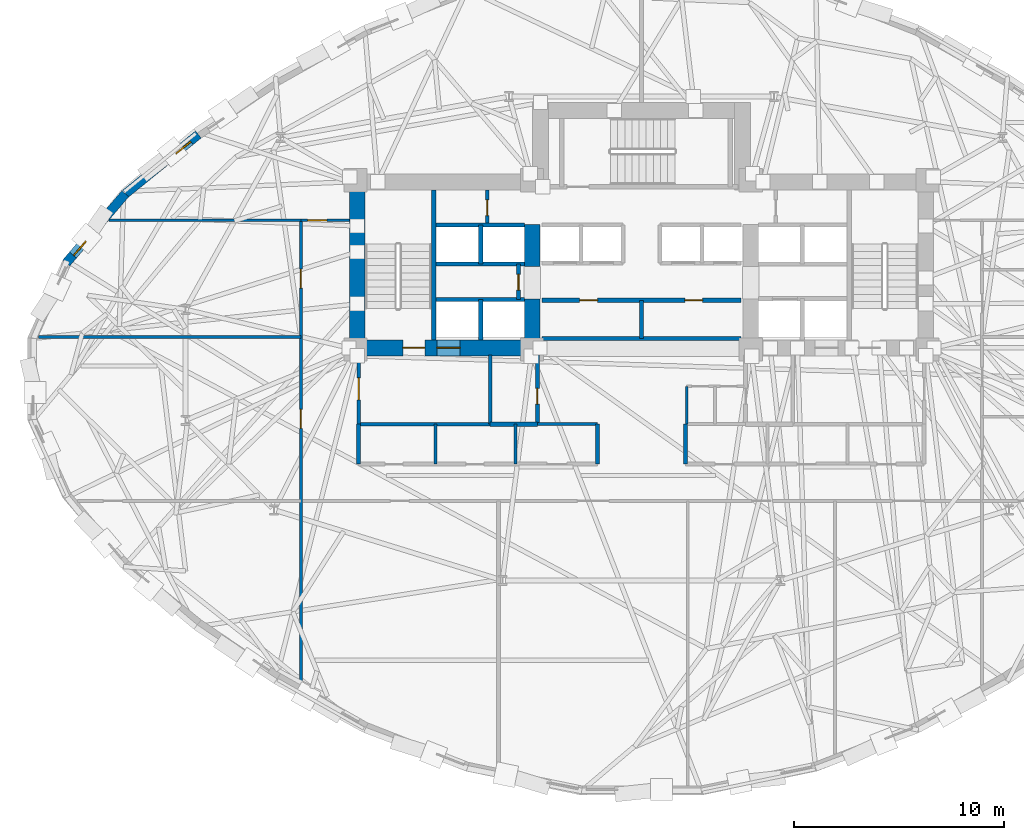
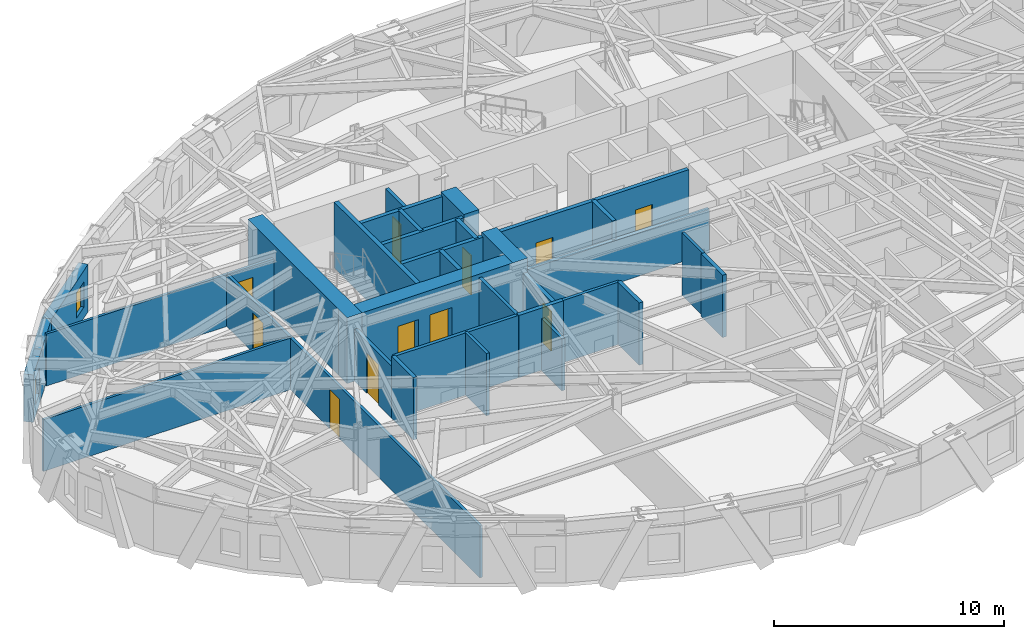
# One storey, part 7 of 14: 33 walls, 11 doors, 2 windows, 13 openings.
"""IFC4 building model written with IfcOpenShell, lengths in metres."""

from ifc_helpers import new_model, si_unit, direction, frame, frame_2d, origin, place, context, subcontext, project, spatial, rectangle, extrude, material, layer, layer_set, type_object, element, fill, save


model = new_model("IFC4")

# Units and contexts
model_context = context("Model", 3, precision=1e-05, world=origin(), true_north=direction((0.0, 1.0)))
body_context = subcontext(model_context, "Body", "Model", "MODEL_VIEW")
ifc_project = project(units=[si_unit("LENGTHUNIT", "METRE"), si_unit("AREAUNIT", "SQUARE_METRE"), si_unit("VOLUMEUNIT", "CUBIC_METRE"), si_unit("PLANEANGLEUNIT", "RADIAN"), si_unit("MASSUNIT", "GRAM", prefix="KILO")], contexts=[model_context])

# Site, building, storey
site_placement = place(None, origin())
site = spatial("IfcSite", under=ifc_project, at=site_placement, CompositionType="ELEMENT")
building_placement = place(site_placement, origin())
building = spatial("IfcBuilding", under=site, at=building_placement, Name="Keldmark Tower", CompositionType="ELEMENT")
storey_placement = place(building_placement, frame((0.0, 0.0, 86.10009765625)))
storey = spatial("IfcBuildingStorey", under=building, at=storey_placement, Name="L22", CompositionType="ELEMENT", Elevation=86.10009765625)

# Wall, openings, doors
ifc_material_1 = material(Name="Acoustic Double-Layer Gypsum Corridor Partition", Category="gypsum")
ifc_layer_1 = layer(ifc_material_1, 0.139892578125)
ifc_layer_set_1 = layer_set([ifc_layer_1], Name="Acoustic Double-Layer Gypsum Corridor Partition")
wall_type_1 = type_object("IfcWallType", Name="Acoustic Corridor Partition 140 mm", PredefinedType="PARTITIONING", material=ifc_layer_set_1)
wall_1_placement = place(storey_placement, frame((-16.199951171875, -14.554443359375, 0.0), z_axis=(0.0, 0.0, 1.0), x_axis=(0.0, 1.0, 0.0)))
wall_1 = element("IfcWall", 1, at=wall_1_placement, inside=storey, type_object=wall_type_1, Name="L22 Acoustic Corridor Partition 140 mm COR-W", PredefinedType="PARTITIONING", context=body_context, shape_type="SweptSolid", body=[
    extrude(rectangle(XDim=22.1044921875, YDim=0.139892578125, at=frame_2d((11.05224609375, 0.0))), origin(), (0.0, 0.0, 1.0), 2.7509765625),
])
opening_1_placement = place(wall_1_placement, frame((12.204345703125, 0.0, 0.0)))
opening_1 = element("IfcOpeningElement", 2, at=opening_1_placement, cuts=wall_1, Name="Opening D-IN090", PredefinedType="OPENING", context=body_context, shape_type="SweptSolid", body=[
    extrude(rectangle(XDim=0.89990234375, YDim=2.10009765625, at=frame_2d((0.449951171875, 1.050048828125))), frame((0.0, 0.079833984375, 0.0), z_axis=(0.0, -1.0, 0.0), x_axis=(1.0, 0.0, 0.0)), (0.0, 0.0, 1.0), 0.159912109375),
])
opening_2_placement = place(wall_1_placement, frame((18.87939453125, 0.0, 0.0)))
opening_2 = element("IfcOpeningElement", 3, at=opening_2_placement, cuts=wall_1, Name="Opening D-IN090", PredefinedType="OPENING", context=body_context, shape_type="SweptSolid", body=[
    extrude(rectangle(XDim=0.89990234375, YDim=2.10009765625, at=frame_2d((0.449951171875, 1.050048828125))), frame((0.0, 0.079833984375, 0.0), z_axis=(0.0, -1.0, 0.0), x_axis=(1.0, 0.0, 0.0)), (0.0, 0.0, 1.0), 0.159912109375),
])
ifc_material_2 = material(Name="Stained American White Oak Veneer", Category="wood")
door_type_1 = type_object("IfcDoorType", Name="Interior Door 900x2100", OperationType="NOTDEFINED", PredefinedType="DOOR", material=ifc_material_2)
door_1_placement = place(opening_1_placement, origin())
door_1 = element("IfcDoor", 4, at=door_1_placement, inside=storey, type_object=door_type_1, Name="L22 Interior Door 900x2100 D-WR-1-L22", OperationType="SINGLE_SWING_LEFT", OverallHeight=2.10009765625, OverallWidth=0.89990234375, PredefinedType="DOOR", context=body_context, shape_type="SweptSolid", body=[
    extrude(rectangle(XDim=0.89990234375, YDim=2.10009765625, at=frame_2d((0.449951171875, 1.050048828125))), frame((0.0, 0.02490234375, 0.0), z_axis=(0.0, -1.0, 0.0), x_axis=(1.0, 0.0, 0.0)), (0.0, 0.0, 1.0), 0.050048828125),
])
fill(opening_1, door_1)
door_2_placement = place(opening_2_placement, origin())
door_2 = element("IfcDoor", 5, at=door_2_placement, inside=storey, type_object=door_type_1, Name="L22 Interior Door 900x2100 D-WR-2-L22", OperationType="SINGLE_SWING_RIGHT", OverallHeight=2.10009765625, OverallWidth=0.89990234375, PredefinedType="DOOR", context=body_context, shape_type="SweptSolid", body=[
    extrude(rectangle(XDim=0.89990234375, YDim=2.10009765625, at=frame_2d((0.449951171875, 1.050048828125))), frame((0.0, 0.02490234375, 0.0), z_axis=(0.0, -1.0, 0.0), x_axis=(1.0, 0.0, 0.0)), (0.0, 0.0, 1.0), 0.050048828125),
])
fill(opening_2, door_2)

# Wall, opening, door
wall_2_placement = place(storey_placement, frame((-16.199951171875, 7.550048828125, 0.0), z_axis=(0.0, 0.0, 1.0), x_axis=(1.0, 0.0, 0.0)))
wall_2 = element("IfcWall", 6, at=wall_2_placement, inside=storey, type_object=wall_type_1, Name="L22 Acoustic Corridor Partition 140 mm COR-WN-CAP", PredefinedType="PARTITIONING", context=body_context, shape_type="SweptSolid", body=[
    extrude(rectangle(XDim=2.300048828125, YDim=0.139892578125, at=frame_2d((1.14990234375, 0.0))), origin(), (0.0, 0.0, 1.0), 2.762939453125),
])
opening_3_placement = place(wall_2_placement, frame((0.320068359375, 0.0, 0.0)))
opening_3 = element("IfcOpeningElement", 7, at=opening_3_placement, cuts=wall_2, Name="Opening D-EX092", PredefinedType="OPENING", context=body_context, shape_type="SweptSolid", body=[
    extrude(rectangle(XDim=0.919921875, YDim=2.14990234375, at=frame_2d((0.4599609375, 1.074951171875))), frame((0.0, 0.079833984375, 0.0), z_axis=(0.0, -1.0, 0.0), x_axis=(1.0, 0.0, 0.0)), (0.0, 0.0, 1.0), 0.159912109375),
])
ifc_material_3 = material(Name="Flush American Ash Executive Office Door", Category="wood")
door_type_2 = type_object("IfcDoorType", Name="Executive Office Door 920x2150", OperationType="NOTDEFINED", PredefinedType="DOOR", material=ifc_material_3)
door_3_placement = place(opening_3_placement, origin())
door_3 = element("IfcDoor", 8, at=door_3_placement, inside=storey, type_object=door_type_2, Name="L22 Executive Office Door 920x2150 D-NRNW-L22", OperationType="SINGLE_SWING_RIGHT", OverallHeight=2.14990234375, OverallWidth=0.919921875, PredefinedType="DOOR", context=body_context, shape_type="SweptSolid", body=[
    extrude(rectangle(XDim=0.919921875, YDim=2.14990234375, at=frame_2d((0.4599609375, 1.074951171875))), frame((0.0, 0.02490234375, 0.0), z_axis=(0.0, -1.0, 0.0), x_axis=(1.0, 0.0, 0.0)), (0.0, 0.0, 1.0), 0.050048828125),
])
fill(opening_3, door_3)

# Walls
ifc_material_4 = material(Name="Heavy Acoustic Plumbing Chase Gypsum Assembly", Category="gypsum")
ifc_layer_2 = layer(ifc_material_4, 0.18994140625)
ifc_layer_set_2 = layer_set([ifc_layer_2], Name="Heavy Acoustic Plumbing Chase Gypsum Assembly")
wall_type_2 = type_object("IfcWallType", Name="Heavy Wet Wall 190 mm", PredefinedType="PLUMBINGWALL", material=ifc_layer_set_2)
for number, where, z_axis, x_axis, name in (
    (9, (-13.449951171875, -4.050048828125, 0.0), (0.0, 0.0, 1.0), (0.0, 1.0, 0.0), "L22 Heavy Wet Wall 190 mm SPK-W-W"),
    (10, (-2.10009765625, -4.050048828125, 0.0), (0.0, 0.0, 1.0), (0.0, 1.0, 0.0), "L22 Heavy Wet Wall 190 mm SPK-W-E"),
    (11, (2.10009765625, -4.050048828125, 0.0), (0.0, 0.0, 1.0), (0.0, 1.0, 0.0), "L22 Heavy Wet Wall 190 mm SPK-E-W"),
):
    element("IfcWall", number, at=place(storey_placement, frame(where, z_axis=z_axis, x_axis=x_axis)), inside=storey, type_object=wall_type_2, Name=name, PredefinedType="PLUMBINGWALL", context=body_context, shape_type="SweptSolid", body=[
        extrude(rectangle(XDim=1.900146484375, YDim=0.18994140625, at=frame_2d((0.9501953125, 0.0))), origin(), (0.0, 0.0, 1.0), 3.309814453125),
    ])
ifc_material_5 = material(Name="Acoustic Gypsum Board Interior Partition", Category="gypsum")
ifc_layer_3 = layer(ifc_material_5, 0.1298828125)
ifc_layer_set_3 = layer_set([ifc_layer_3], Name="Acoustic Gypsum Board Interior Partition")
wall_type_3 = type_object("IfcWallType", Name="Interior Partition 130 mm", PredefinedType="PARTITIONING", material=ifc_layer_set_3)
wall_3_placement = place(storey_placement, frame((2.14990234375, -2.14990234375, 0.0), z_axis=(0.0, 0.0, 1.0), x_axis=(0.0, 1.0, 0.0)))
element("IfcWall", 12, at=wall_3_placement, inside=storey, type_object=wall_type_3, Name="L22 Interior Partition 130 mm CSC-E-W", PredefinedType="PARTITIONING", context=body_context, shape_type="SweptSolid", body=[
    extrude(rectangle(XDim=1.7998046875, YDim=0.1298828125, at=frame_2d((0.89990234375, 0.0))), origin(), (0.0, 0.0, 1.0), 3.309814453125),
])
wall_4_placement = place(storey_placement, frame((-25.330810546875, 7.550048828125, 0.0), z_axis=(0.0, 0.0, 1.0), x_axis=(1.0, 0.0, 0.0)))
element("IfcWall", 13, at=wall_4_placement, inside=storey, type_object=wall_type_3, Name="L22 Interior Partition 130 mm W-CAP-N", PredefinedType="PARTITIONING", context=body_context, shape_type="SweptSolid", body=[
    extrude(rectangle(XDim=9.130859375, YDim=0.1298828125, at=frame_2d((4.5654296875, 0.0))), origin(), (0.0, 0.0, 1.0), 2.762939453125),
])
wall_5_placement = place(storey_placement, frame((-28.693603515625, 2.0, 0.0), z_axis=(0.0, 0.0, 1.0), x_axis=(1.0, 0.0, 0.0)))
element("IfcWall", 14, at=wall_5_placement, inside=storey, type_object=wall_type_3, Name="L22 Interior Partition 130 mm W-DIV-1", PredefinedType="PARTITIONING", context=body_context, shape_type="SweptSolid", body=[
    extrude(rectangle(XDim=12.49365234375, YDim=0.1298828125, at=frame_2d((6.246826171875, 0.0))), origin(), (0.0, 0.0, 1.0), 2.7509765625),
])
ifc_material_6 = material(Name="Concrete C70/85", Category="concrete")
ifc_layer_4 = layer(ifc_material_6, 0.75)
ifc_layer_set_4 = layer_set([ifc_layer_4], Name="Concrete C70/85")
wall_type_4 = type_object("IfcWallType", Name="Low-Mid Core Shear Wall 750 mm", PredefinedType="SHEAR", material=ifc_layer_set_4)
wall_6_placement = place(storey_placement, frame((-13.52490234375, 1.10009765625, 0.0), z_axis=(0.0, 0.0, 1.0), x_axis=(0.0, 1.0, 0.0)))
element("IfcWall", 15, at=wall_6_placement, inside=storey, type_object=wall_type_4, Name="L22 West Core Outer Shear Wall", PredefinedType="SHEAR", context=body_context, shape_type="SweptSolid", body=[
    extrude(rectangle(XDim=8.64990234375, YDim=0.75, at=frame_2d((4.324951171875, 0.0))), origin(), (0.0, 0.0, 1.0), 3.5),
])

# Wall, openings, doors
wall_7_placement = place(storey_placement, frame((-4.824951171875, 1.47509765625, 0.0), z_axis=(0.0, 0.0, 1.0), x_axis=(-1.0, 0.0, 0.0)))
wall_7 = element("IfcWall", 16, at=wall_7_placement, inside=storey, type_object=wall_type_4, Name="L22 West Core South Shear Wall", PredefinedType="SHEAR", context=body_context, shape_type="SweptSolid", body=[
    extrude(rectangle(XDim=9.074951171875, YDim=0.75, at=frame_2d((4.53759765625, 0.0))), origin(), (0.0, 0.0, 1.0), 3.5),
])
opening_4_placement = place(wall_7_placement, frame((5.47509765625, 0.0, 0.0)))
opening_4 = element("IfcOpeningElement", 17, at=opening_4_placement, cuts=wall_7, Name="Opening D-ST105", PredefinedType="OPENING", context=body_context, shape_type="SweptSolid", body=[
    extrude(rectangle(XDim=1.050048828125, YDim=2.14990234375, at=frame_2d((0.52490234375, 1.074951171875))), frame((0.0, 0.385009765625, 0.0), z_axis=(0.0, -1.0, 0.0), x_axis=(1.0, 0.0, 0.0)), (0.0, 0.0, 1.0), 0.77001953125),
])
opening_5_placement = place(wall_7_placement, frame((3.804931640625, 0.0, 0.0)))
opening_5 = element("IfcOpeningElement", 18, at=opening_5_placement, cuts=wall_7, Name="Opening LD-110", PredefinedType="OPENING", context=body_context, shape_type="SweptSolid", body=[
    extrude(rectangle(XDim=1.10009765625, YDim=2.199951171875, at=frame_2d((0.550048828125, 1.10009765625))), frame((0.0, 0.385009765625, 0.0), z_axis=(0.0, -1.0, 0.0), x_axis=(1.0, 0.0, 0.0)), (0.0, 0.0, 1.0), 0.77001953125),
])
ifc_material_7 = material(Name="Brushed Bronze Hoistway Sliding Leaf", Category="metal")
door_type_3 = type_object("IfcDoorType", Name="Lift Landing Sliding Door 1100x2200", OperationType="SLIDING_TO_LEFT", PredefinedType="DOOR", material=ifc_material_7)
door_4_placement = place(opening_5_placement, origin())
door_4 = element("IfcDoor", 19, at=door_4_placement, inside=storey, type_object=door_type_3, Name="L22 Lift Landing Sliding Door 1100x2200 LD-EL-FS1-L22", OperationType="SLIDING_TO_LEFT", OverallHeight=2.199951171875, OverallWidth=1.10009765625, PredefinedType="DOOR", context=body_context, shape_type="SweptSolid", body=[
    extrude(rectangle(XDim=1.10009765625, YDim=2.199951171875, at=frame_2d((0.550048828125, 1.10009765625))), frame((0.0, 0.02490234375, 0.0), z_axis=(0.0, -1.0, 0.0), x_axis=(1.0, 0.0, 0.0)), (0.0, 0.0, 1.0), 0.050048828125),
])
fill(opening_5, door_4)
ifc_material_8 = material(Name="Hollow Metal Fire-Rated Door Assembly", Category="metal")
door_type_4 = type_object("IfcDoorType", Name="Stair Fire Door 1050x2150", OperationType="NOTDEFINED", PredefinedType="DOOR", material=ifc_material_8)
door_5_placement = place(opening_4_placement, origin())
door_5 = element("IfcDoor", 20, at=door_5_placement, inside=storey, type_object=door_type_4, Name="L22 Stair Fire Door 1050x2150 D-ST1-L22", OperationType="SINGLE_SWING_RIGHT", OverallHeight=2.14990234375, OverallWidth=1.050048828125, PredefinedType="DOOR", context=body_context, shape_type="SweptSolid", body=[
    extrude(rectangle(XDim=1.050048828125, YDim=2.14990234375, at=frame_2d((0.52490234375, 1.074951171875))), frame((0.0, 0.02490234375, 0.0), z_axis=(0.0, -1.0, 0.0), x_axis=(1.0, 0.0, 0.0)), (0.0, 0.0, 1.0), 0.050048828125),
])
fill(opening_4, door_5)

# Walls
wall_8_placement = place(storey_placement, frame((-5.199951171875, 1.10009765625, 0.0), z_axis=(0.0, 0.0, 1.0), x_axis=(0.0, 1.0, 0.0)))
element("IfcWall", 21, at=wall_8_placement, inside=storey, type_object=wall_type_4, Name="L22 West Core Inner Shear Pier South", PredefinedType="SHEAR", context=body_context, shape_type="SweptSolid", body=[
    extrude(rectangle(XDim=2.699951171875, YDim=0.75, at=frame_2d((1.35009765625, 0.0))), origin(), (0.0, 0.0, 1.0), 3.5),
])
wall_9_placement = place(storey_placement, frame((-5.199951171875, 5.35009765625, 0.0), z_axis=(0.0, 0.0, 1.0), x_axis=(0.0, 1.0, 0.0)))
element("IfcWall", 22, at=wall_9_placement, inside=storey, type_object=wall_type_4, Name="L22 West Core Inner Shear Pier North", PredefinedType="SHEAR", context=body_context, shape_type="SweptSolid", body=[
    extrude(rectangle(XDim=2.0, YDim=0.75, at=frame_2d((1.0, 0.0))), origin(), (0.0, 0.0, 1.0), 3.5),
])
ifc_material_9 = material(Name="Type X Fire-Rated Gypsum Partition Assembly", Category="gypsum")
ifc_layer_5 = layer(ifc_material_9, 0.1650390625)
ifc_layer_set_5 = layer_set([ifc_layer_5], Name="Type X Fire-Rated Gypsum Partition Assembly")
wall_type_5 = type_object("IfcWallType", Name="Rated Partition 165 mm", PredefinedType="PARTITIONING", material=ifc_layer_set_5)
wall_10_placement = place(storey_placement, frame((-13.449951171875, -2.14990234375, 0.0), z_axis=(0.0, 0.0, 1.0), x_axis=(1.0, 0.0, 0.0)))
element("IfcWall", 23, at=wall_10_placement, inside=storey, type_object=wall_type_5, Name="L22 Rated Partition 165 mm FSAE-W-S", PredefinedType="PARTITIONING", context=body_context, shape_type="SweptSolid", body=[
    extrude(rectangle(XDim=6.25, YDim=0.1650390625, at=frame_2d((3.125, 0.0))), origin(), (0.0, 0.0, 1.0), 3.309814453125),
])

# Wall, opening, door
wall_11_placement = place(storey_placement, frame((-13.449951171875, -2.14990234375, 0.0), z_axis=(0.0, 0.0, 1.0), x_axis=(0.0, 1.0, 0.0)))
wall_11 = element("IfcWall", 24, at=wall_11_placement, inside=storey, type_object=wall_type_5, Name="L22 Rated Partition 165 mm FSAE-W-W", PredefinedType="PARTITIONING", context=body_context, shape_type="SweptSolid", body=[
    extrude(rectangle(XDim=3.2998046875, YDim=0.1650390625, at=frame_2d((1.64990234375, 0.0))), origin(), (0.0, 0.0, 1.0), 2.762939453125),
])
opening_6_placement = place(wall_11_placement, frame((1.14990234375, 0.0, 0.0)))
opening_6 = element("IfcOpeningElement", 25, at=opening_6_placement, cuts=wall_11, Name="Opening D-FL105", PredefinedType="OPENING", context=body_context, shape_type="SweptSolid", body=[
    extrude(rectangle(XDim=1.050048828125, YDim=2.14990234375, at=frame_2d((0.52490234375, 1.074951171875))), frame((0.0, 0.092529296875, 0.0), z_axis=(0.0, -1.0, 0.0), x_axis=(1.0, 0.0, 0.0)), (0.0, 0.0, 1.0), 0.18505859375),
])
ifc_material_10 = material(Name="Fire-Rated Mineral-Core Door and Vision Lite", Category="metal")
door_type_5 = type_object("IfcDoorType", Name="Fire Lobby Door 1050x2150", OperationType="NOTDEFINED", PredefinedType="DOOR", material=ifc_material_10)
door_6_placement = place(opening_6_placement, origin())
door_6 = element("IfcDoor", 26, at=door_6_placement, inside=storey, type_object=door_type_5, Name="L22 Fire Lobby Door 1050x2150 D-FSAEW-OUT-L22", OperationType="SINGLE_SWING_LEFT", OverallHeight=2.14990234375, OverallWidth=1.050048828125, PredefinedType="DOOR", context=body_context, shape_type="SweptSolid", body=[
    extrude(rectangle(XDim=1.050048828125, YDim=2.14990234375, at=frame_2d((0.52490234375, 1.074951171875))), frame((0.0, 0.02490234375, 0.0), z_axis=(0.0, -1.0, 0.0), x_axis=(1.0, 0.0, 0.0)), (0.0, 0.0, 1.0), 0.050048828125),
])
fill(opening_6, door_6)

# Wall
wall_12_placement = place(storey_placement, frame((-7.199951171875, -2.14990234375, 0.0), z_axis=(0.0, 0.0, 1.0), x_axis=(0.0, 1.0, 0.0)))
element("IfcWall", 27, at=wall_12_placement, inside=storey, type_object=wall_type_5, Name="L22 Rated Partition 165 mm FSAE-W-E", PredefinedType="PARTITIONING", context=body_context, shape_type="SweptSolid", body=[
    extrude(rectangle(XDim=3.2998046875, YDim=0.1650390625, at=frame_2d((1.64990234375, 0.0))), origin(), (0.0, 0.0, 1.0), 3.309814453125),
])

# Wall, opening, door
wall_13_placement = place(storey_placement, frame((-7.330078125, 7.419921875, 0.0), z_axis=(0.0, 0.0, 1.0), x_axis=(0.0, 1.0, 0.0)))
wall_13 = element("IfcWall", 28, at=wall_13_placement, inside=storey, type_object=wall_type_5, Name="L22 Rated Partition 165 mm CS-NW-E", PredefinedType="PARTITIONING", context=body_context, shape_type="SweptSolid", body=[
    extrude(rectangle(XDim=1.580078125, YDim=0.1650390625, at=frame_2d((0.7900390625, 0.0))), origin(), (0.0, 0.0, 1.0), 3.309814453125),
])
opening_7_placement = place(wall_13_placement, frame((0.35009765625, 0.0, 0.0)))
opening_7 = element("IfcOpeningElement", 29, at=opening_7_placement, cuts=wall_13, Name="Opening D-RS075", PredefinedType="OPENING", context=body_context, shape_type="SweptSolid", body=[
    extrude(rectangle(XDim=0.75, YDim=2.10009765625, at=frame_2d((0.375, 1.050048828125))), frame((0.0, 0.092529296875, 0.0), z_axis=(0.0, -1.0, 0.0), x_axis=(1.0, 0.0, 0.0)), (0.0, 0.0, 1.0), 0.18505859375),
])
ifc_material_11 = material(Name="Galvanized Fire-Rated Access Leaf", Category="metal")
door_type_6 = type_object("IfcDoorType", Name="Riser Access Door 750x2100", OperationType="NOTDEFINED", PredefinedType="DOOR", material=ifc_material_11)
door_7_placement = place(opening_7_placement, origin())
door_7 = element("IfcDoor", 30, at=door_7_placement, inside=storey, type_object=door_type_6, Name="L22 Riser Access Door 750x2100 D-CSNW1-L22", OperationType="SINGLE_SWING_RIGHT", OverallHeight=2.10009765625, OverallWidth=0.75, PredefinedType="DOOR", context=body_context, shape_type="SweptSolid", body=[
    extrude(rectangle(XDim=0.75, YDim=2.10009765625, at=frame_2d((0.375, 1.050048828125))), frame((0.0, 0.02490234375, 0.0), z_axis=(0.0, -1.0, 0.0), x_axis=(1.0, 0.0, 0.0)), (0.0, 0.0, 1.0), 0.050048828125),
])
fill(opening_7, door_7)

# Wall
ifc_material_12 = material(Name="Fire-Resistant Type X Gypsum Shaftliner Coreboard", Category="gypsum")
ifc_layer_6 = layer(ifc_material_12, 0.199951171875)
ifc_layer_set_6 = layer_set([ifc_layer_6], Name="Fire-Resistant Type X Gypsum Shaftliner Coreboard")
wall_type_6 = type_object("IfcWallType", Name="Shaft Wall 200 mm", PredefinedType="SOLIDWALL", material=ifc_layer_set_6)
wall_14_placement = place(storey_placement, frame((-7.199951171875, -2.14990234375, 0.0), z_axis=(0.0, 0.0, 1.0), x_axis=(1.0, 0.0, 0.0)))
element("IfcWall", 31, at=wall_14_placement, inside=storey, type_object=wall_type_6, Name="L22 Shaft Wall 200 mm RIS-SW-S", PredefinedType="SOLIDWALL", context=body_context, shape_type="SweptSolid", body=[
    extrude(rectangle(XDim=2.25, YDim=0.199951171875, at=frame_2d((1.125, 0.0))), origin(), (0.0, 0.0, 1.0), 3.309814453125),
])

# Wall, opening, door
wall_15_placement = place(storey_placement, frame((-4.949951171875, -2.14990234375, 0.0), z_axis=(0.0, 0.0, 1.0), x_axis=(0.0, 1.0, 0.0)))
wall_15 = element("IfcWall", 32, at=wall_15_placement, inside=storey, type_object=wall_type_6, Name="L22 Shaft Wall 200 mm RIS-SW-E", PredefinedType="SOLIDWALL", context=body_context, shape_type="SweptSolid", body=[
    extrude(rectangle(XDim=3.2998046875, YDim=0.199951171875, at=frame_2d((1.64990234375, 0.0))), origin(), (0.0, 0.0, 1.0), 2.762939453125),
])
opening_8_placement = place(wall_15_placement, frame((0.949951171875, 0.0, 0.0)))
opening_8 = element("IfcOpeningElement", 33, at=opening_8_placement, cuts=wall_15, Name="Opening D-RS075", PredefinedType="OPENING", context=body_context, shape_type="SweptSolid", body=[
    extrude(rectangle(XDim=0.75, YDim=2.10009765625, at=frame_2d((0.375, 1.050048828125))), frame((0.0, 0.10986328125, 0.0), z_axis=(0.0, -1.0, 0.0), x_axis=(1.0, 0.0, 0.0)), (0.0, 0.0, 1.0), 0.219970703125),
])
door_8_placement = place(opening_8_placement, origin())
door_8 = element("IfcDoor", 34, at=door_8_placement, inside=storey, type_object=door_type_6, Name="L22 Riser Access Door 750x2100 D-RISSW-L22", OperationType="SINGLE_SWING_RIGHT", OverallHeight=2.10009765625, OverallWidth=0.75, PredefinedType="DOOR", context=body_context, shape_type="SweptSolid", body=[
    extrude(rectangle(XDim=0.75, YDim=2.10009765625, at=frame_2d((0.375, 1.050048828125))), frame((0.0, 0.02490234375, 0.0), z_axis=(0.0, -1.0, 0.0), x_axis=(1.0, 0.0, 0.0)), (0.0, 0.0, 1.0), 0.050048828125),
])
fill(opening_8, door_8)

# Walls
wall_16_placement = place(storey_placement, frame((-9.780029296875, 3.780029296875, 0.0), z_axis=(0.0, 0.0, 1.0), x_axis=(1.0, 0.0, 0.0)))
element("IfcWall", 35, at=wall_16_placement, inside=storey, type_object=wall_type_6, Name="L22 Shaft Wall 200 mm HW-W-S", PredefinedType="SOLIDWALL", context=body_context, shape_type="SweptSolid", body=[
    extrude(rectangle(XDim=4.205078125, YDim=0.199951171875, at=frame_2d((2.1025390625, 0.0))), origin(), (0.0, 0.0, 1.0), 3.309814453125),
])
wall_17_placement = place(storey_placement, frame((-7.64990234375, 1.85009765625, 0.0), z_axis=(0.0, 0.0, 1.0), x_axis=(0.0, 1.0, 0.0)))
element("IfcWall", 36, at=wall_17_placement, inside=storey, type_object=wall_type_6, Name="L22 Shaft Wall 200 mm HW-W-M", PredefinedType="SOLIDWALL", context=body_context, shape_type="SweptSolid", body=[
    extrude(rectangle(XDim=1.929931640625, YDim=0.199951171875, at=frame_2d((0.96484375, 0.0))), origin(), (0.0, 0.0, 1.0), 3.309814453125),
])
for number, where, z_axis, x_axis, name in (
    (37, (-9.780029296875, 5.469970703125, 0.0), (0.0, 0.0, 1.0), (1.0, 0.0, 0.0), "L22 Shaft Wall 200 mm HW-W-N"),
    (38, (-9.780029296875, 7.330078125, 0.0), (0.0, 0.0, 1.0), (1.0, 0.0, 0.0), "L22 Shaft Wall 200 mm HW-W-TOP"),
):
    element("IfcWall", number, at=place(storey_placement, frame(where, z_axis=z_axis, x_axis=x_axis)), inside=storey, type_object=wall_type_6, Name=name, PredefinedType="SOLIDWALL", context=body_context, shape_type="SweptSolid", body=[
        extrude(rectangle(XDim=4.205078125, YDim=0.199951171875, at=frame_2d((2.1025390625, 0.0))), origin(), (0.0, 0.0, 1.0), 3.309814453125),
    ])
wall_18_placement = place(storey_placement, frame((-7.64990234375, 5.469970703125, 0.0), z_axis=(0.0, 0.0, 1.0), x_axis=(0.0, 1.0, 0.0)))
element("IfcWall", 39, at=wall_18_placement, inside=storey, type_object=wall_type_6, Name="L22 Shaft Wall 200 mm HW-W-NM", PredefinedType="SOLIDWALL", context=body_context, shape_type="SweptSolid", body=[
    extrude(rectangle(XDim=1.860107421875, YDim=0.199951171875, at=frame_2d((0.93017578125, 0.0))), origin(), (0.0, 0.0, 1.0), 3.309814453125),
])

# Wall, opening, door
wall_19_placement = place(storey_placement, frame((-5.85009765625, 3.780029296875, 0.0), z_axis=(0.0, 0.0, 1.0), x_axis=(0.0, 1.0, 0.0)))
wall_19 = element("IfcWall", 40, at=wall_19_placement, inside=storey, type_object=wall_type_6, Name="L22 Shaft Wall 200 mm HW-W-CLOSE", PredefinedType="SOLIDWALL", context=body_context, shape_type="SweptSolid", body=[
    extrude(rectangle(XDim=1.68994140625, YDim=0.199951171875, at=frame_2d((0.844970703125, 0.0))), origin(), (0.0, 0.0, 1.0), 3.309814453125),
])
opening_9_placement = place(wall_19_placement, frame((0.449951171875, 0.0, 0.0)))
opening_9 = element("IfcOpeningElement", 41, at=opening_9_placement, cuts=wall_19, Name="Opening D-RS075", PredefinedType="OPENING", context=body_context, shape_type="SweptSolid", body=[
    extrude(rectangle(XDim=0.75, YDim=2.10009765625, at=frame_2d((0.375, 1.050048828125))), frame((0.0, 0.10986328125, 0.0), z_axis=(0.0, -1.0, 0.0), x_axis=(1.0, 0.0, 0.0)), (0.0, 0.0, 1.0), 0.219970703125),
])
door_9_placement = place(opening_9_placement, origin())
door_9 = element("IfcDoor", 42, at=door_9_placement, inside=storey, type_object=door_type_6, Name="L22 Riser Access Door 750x2100 D-RISHW-L22", OperationType="SINGLE_SWING_RIGHT", OverallHeight=2.10009765625, OverallWidth=0.75, PredefinedType="DOOR", context=body_context, shape_type="SweptSolid", body=[
    extrude(rectangle(XDim=0.75, YDim=2.10009765625, at=frame_2d((0.375, 1.050048828125))), frame((0.0, 0.02490234375, 0.0), z_axis=(0.0, -1.0, 0.0), x_axis=(1.0, 0.0, 0.0)), (0.0, 0.0, 1.0), 0.050048828125),
])
fill(opening_9, door_9)

# Wall
wall_20_placement = place(storey_placement, frame((-4.739990234375, 1.919921875, 0.0), z_axis=(0.0, 0.0, 1.0), x_axis=(1.0, 0.0, 0.0)))
element("IfcWall", 43, at=wall_20_placement, inside=storey, type_object=wall_type_6, Name="L22 Shaft Wall 200 mm LOW-OV-S", PredefinedType="SOLIDWALL", context=body_context, shape_type="SweptSolid", body=[
    extrude(rectangle(XDim=9.47998046875, YDim=0.199951171875, at=frame_2d((4.739990234375, 0.0))), origin(), (0.0, 0.0, 1.0), 2.2998046875),
])

# Wall, openings, doors
wall_21_placement = place(storey_placement, frame((-4.739990234375, 3.739990234375, 0.0), z_axis=(0.0, 0.0, 1.0), x_axis=(1.0, 0.0, 0.0)))
wall_21 = element("IfcWall", 44, at=wall_21_placement, inside=storey, type_object=wall_type_6, Name="L22 Shaft Wall 200 mm LOW-OV-N", PredefinedType="SOLIDWALL", context=body_context, shape_type="SweptSolid", body=[
    extrude(rectangle(XDim=9.47998046875, YDim=0.199951171875, at=frame_2d((4.739990234375, 0.0))), origin(), (0.0, 0.0, 1.0), 3.309814453125),
])
opening_10_placement = place(wall_21_placement, frame((1.800048828125, 0.0, 0.0)))
opening_10 = element("IfcOpeningElement", 45, at=opening_10_placement, cuts=wall_21, Name="Opening D-SV085", PredefinedType="OPENING", context=body_context, shape_type="SweptSolid", body=[
    extrude(rectangle(XDim=0.85009765625, YDim=2.10009765625, at=frame_2d((0.425048828125, 1.050048828125))), frame((0.0, 0.10986328125, 0.0), z_axis=(0.0, -1.0, 0.0), x_axis=(1.0, 0.0, 0.0)), (0.0, 0.0, 1.0), 0.219970703125),
])
opening_11_placement = place(wall_21_placement, frame((6.800048828125, 0.0, 0.0)))
opening_11 = element("IfcOpeningElement", 46, at=opening_11_placement, cuts=wall_21, Name="Opening D-SV085", PredefinedType="OPENING", context=body_context, shape_type="SweptSolid", body=[
    extrude(rectangle(XDim=0.85009765625, YDim=2.10009765625, at=frame_2d((0.425048828125, 1.050048828125))), frame((0.0, 0.10986328125, 0.0), z_axis=(0.0, -1.0, 0.0), x_axis=(1.0, 0.0, 0.0)), (0.0, 0.0, 1.0), 0.219970703125),
])
ifc_material_13 = material(Name="Painted Hollow Metal Door Assembly", Category="metal")
door_type_7 = type_object("IfcDoorType", Name="Service Door 850x2100", OperationType="NOTDEFINED", PredefinedType="DOOR", material=ifc_material_13)
door_10_placement = place(opening_10_placement, origin())
door_10 = element("IfcDoor", 47, at=door_10_placement, inside=storey, type_object=door_type_7, Name="L22 Service Door 850x2100 D-OVLOW-W-L22", OperationType="SINGLE_SWING_LEFT", OverallHeight=2.10009765625, OverallWidth=0.85009765625, PredefinedType="DOOR", context=body_context, shape_type="SweptSolid", body=[
    extrude(rectangle(XDim=0.85009765625, YDim=2.10009765625, at=frame_2d((0.425048828125, 1.050048828125))), frame((0.0, 0.02490234375, 0.0), z_axis=(0.0, -1.0, 0.0), x_axis=(1.0, 0.0, 0.0)), (0.0, 0.0, 1.0), 0.050048828125),
])
fill(opening_10, door_10)
door_11_placement = place(opening_11_placement, origin())
door_11 = element("IfcDoor", 48, at=door_11_placement, inside=storey, type_object=door_type_7, Name="L22 Service Door 850x2100 D-OVLOW-E-L22", OperationType="SINGLE_SWING_RIGHT", OverallHeight=2.10009765625, OverallWidth=0.85009765625, PredefinedType="DOOR", context=body_context, shape_type="SweptSolid", body=[
    extrude(rectangle(XDim=0.85009765625, YDim=2.10009765625, at=frame_2d((0.425048828125, 1.050048828125))), frame((0.0, 0.02490234375, 0.0), z_axis=(0.0, -1.0, 0.0), x_axis=(1.0, 0.0, 0.0)), (0.0, 0.0, 1.0), 0.050048828125),
])
fill(opening_11, door_11)

# Walls
wall_22_placement = place(storey_placement, frame((0.0, 1.919921875, 0.0), z_axis=(0.0, 0.0, 1.0), x_axis=(0.0, 1.0, 0.0)))
element("IfcWall", 49, at=wall_22_placement, inside=storey, type_object=wall_type_6, Name="L22 Shaft Wall 200 mm LOW-OV-M", PredefinedType="SOLIDWALL", context=body_context, shape_type="SweptSolid", body=[
    extrude(rectangle(XDim=1.820068359375, YDim=0.199951171875, at=frame_2d((0.91015625, 0.0))), origin(), (0.0, 0.0, 1.0), 3.309814453125),
])
ifc_material_14 = material(Name="Concrete C50/60", Category="concrete")
ifc_layer_7 = layer(ifc_material_14, 0.219970703125)
ifc_layer_set_7 = layer_set([ifc_layer_7], Name="Concrete C50/60")
wall_type_7 = type_object("IfcWallType", Name="Stair Core Shear Wall 220 mm", PredefinedType="SHEAR", material=ifc_layer_set_7)
wall_23_placement = place(storey_placement, frame((-9.889892578125, 1.85009765625, 0.0), z_axis=(0.0, 0.0, 1.0), x_axis=(0.0, 1.0, 0.0)))
element("IfcWall", 50, at=wall_23_placement, inside=storey, type_object=wall_type_7, Name="L22 West Stair Core Shear Wall", PredefinedType="SHEAR", context=body_context, shape_type="SweptSolid", body=[
    extrude(rectangle(XDim=7.14990234375, YDim=0.219970703125, at=frame_2d((3.574951171875, 0.0))), origin(), (0.0, 0.0, 1.0), 3.5),
])

# Wall, opening, window
ifc_material_15 = material(Name="Ironspot Manganese Brick and Kasota Buff Limestone Spandrel Assembly", Category="masonry")
ifc_layer_8 = layer(ifc_material_15, 0.43994140625)
ifc_layer_set_8 = layer_set([ifc_layer_8], Name="Ironspot Manganese Brick and Kasota Buff Limestone Spandrel Assembly")
wall_type_8 = type_object("IfcWallType", Name="Tower Brick Pier and Spandrel Wall 440 mm", PredefinedType="STANDARD", material=ifc_layer_set_8)
wall_24_placement = place(storey_placement, frame((-24.58154296875, 8.785400390625, 0.0), z_axis=(0.0, 0.0, 1.0), x_axis=(0.775728286929, 0.631067052585, 0.0)))
wall_24 = element("IfcWall", 51, at=wall_24_placement, inside=storey, type_object=wall_type_8, Name="L22 Exterior Brick and Spandrel Wall 13", PredefinedType="STANDARD", context=body_context, shape_type="SweptSolid", body=[
    extrude(rectangle(XDim=4.512939453125, YDim=0.43994140625, at=frame_2d((2.25634765625, 0.0))), origin(), (0.0, 0.0, 1.0), 2.52783203125),
])
opening_12_placement = place(wall_24_placement, frame((3.1162109375, 0.0, 0.580078125)))
opening_12 = element("IfcOpeningElement", 52, at=opening_12_placement, cuts=wall_24, Name="Opening W-09", PredefinedType="OPENING", context=body_context, shape_type="SweptSolid", body=[
    extrude(rectangle(XDim=0.89990234375, YDim=1.35009765625, at=frame_2d((0.449951171875, 0.675048828125))), frame((0.0, 0.22998046875, 0.0), z_axis=(0.0, -1.0, 0.0), x_axis=(1.0, 0.0, 0.0)), (0.0, 0.0, 1.0), 0.4599609375),
])
ifc_material_16 = material(Name="Thermally Broken Anodized Aluminum and Triple Low-E Argon Glazing", Category="aluminium")
window_type = type_object("IfcWindowType", Name="Corner Pier Deep-Set Window 900x1350", PartitioningType="SINGLE_PANEL", PredefinedType="WINDOW", material=ifc_material_16)
window_1_placement = place(opening_12_placement, origin())
window_1 = element("IfcWindow", 53, at=window_1_placement, inside=storey, type_object=window_type, Name="L22 Deep-Set Window 13", OverallHeight=1.35009765625, OverallWidth=0.89990234375, PartitioningType="SINGLE_PANEL", PredefinedType="WINDOW", context=body_context, shape_type="SweptSolid", body=[
    extrude(rectangle(XDim=0.89990234375, YDim=1.35009765625, at=frame_2d((0.449951171875, 0.675048828125))), frame((0.0, -0.010009765625, 0.0), z_axis=(0.0, -1.0, 0.0), x_axis=(1.0, 0.0, 0.0)), (0.0, 0.0, 1.0), 0.06005859375),
])
fill(opening_12, window_1)

wall_25_placement = place(storey_placement, frame((-27.363525390625, 5.51806640625, 0.0), z_axis=(0.0, 0.0, 1.0), x_axis=(0.648913975558, 0.760861782669, 0.0)))
wall_25 = element("IfcWall", 54, at=wall_25_placement, inside=storey, type_object=wall_type_8, Name="L22 Exterior Brick and Spandrel Wall 14", PredefinedType="STANDARD", context=body_context, shape_type="SweptSolid", body=[
    extrude(rectangle(XDim=4.3310546875, YDim=0.43994140625, at=frame_2d((2.16552734375, 0.0))), origin(), (0.0, 0.0, 1.0), 2.52783203125),
])
opening_13_placement = place(wall_25_placement, frame((0.498046875, 0.0, 0.580078125)))
opening_13 = element("IfcOpeningElement", 55, at=opening_13_placement, cuts=wall_25, Name="Opening W-09", PredefinedType="OPENING", context=body_context, shape_type="SweptSolid", body=[
    extrude(rectangle(XDim=0.89990234375, YDim=1.35009765625, at=frame_2d((0.449951171875, 0.675048828125))), frame((0.0, 0.22998046875, 0.0), z_axis=(0.0, -1.0, 0.0), x_axis=(1.0, 0.0, 0.0)), (0.0, 0.0, 1.0), 0.4599609375),
])
window_2_placement = place(opening_13_placement, origin())
window_2 = element("IfcWindow", 56, at=window_2_placement, inside=storey, type_object=window_type, Name="L22 Deep-Set Window 14", OverallHeight=1.35009765625, OverallWidth=0.89990234375, PartitioningType="SINGLE_PANEL", PredefinedType="WINDOW", context=body_context, shape_type="SweptSolid", body=[
    extrude(rectangle(XDim=0.89990234375, YDim=1.35009765625, at=frame_2d((0.449951171875, 0.675048828125))), frame((0.0, -0.010009765625, 0.0), z_axis=(0.0, -1.0, 0.0), x_axis=(1.0, 0.0, 0.0)), (0.0, 0.0, 1.0), 0.06005859375),
])
fill(opening_13, window_2)

# Walls
ifc_material_17 = material(Name="Moisture-Resistant Gypsum Plumbing Partition", Category="gypsum")
ifc_layer_9 = layer(ifc_material_17, 0.14990234375)
ifc_layer_set_9 = layer_set([ifc_layer_9], Name="Moisture-Resistant Gypsum Plumbing Partition")
wall_type_9 = type_object("IfcWallType", Name="Wet Wall 150 mm", PredefinedType="PLUMBINGWALL", material=ifc_layer_set_9)
wall_26_placement = place(storey_placement, frame((-4.949951171875, -2.14990234375, 0.0), z_axis=(0.0, 0.0, 1.0), x_axis=(1.0, 0.0, 0.0)))
element("IfcWall", 57, at=wall_26_placement, inside=storey, type_object=wall_type_9, Name="L22 Wet Wall 150 mm SPK-W-N", PredefinedType="PLUMBINGWALL", context=body_context, shape_type="SweptSolid", body=[
    extrude(rectangle(XDim=2.849853515625, YDim=0.14990234375, at=frame_2d((1.4248046875, 0.0))), origin(), (0.0, 0.0, 1.0), 3.309814453125),
])
wall_27_placement = place(storey_placement, frame((-9.800048828125, -4.050048828125, 0.0), z_axis=(0.0, 0.0, 1.0), x_axis=(0.0, 1.0, 0.0)))
element("IfcWall", 58, at=wall_27_placement, inside=storey, type_object=wall_type_9, Name="L22 Wet Wall 150 mm SPK-W-D1", PredefinedType="PLUMBINGWALL", context=body_context, shape_type="SweptSolid", body=[
    extrude(rectangle(XDim=1.900146484375, YDim=0.14990234375, at=frame_2d((0.9501953125, 0.0))), origin(), (0.0, 0.0, 1.0), 3.309814453125),
])
wall_28_placement = place(storey_placement, frame((-6.0, -4.050048828125, 0.0), z_axis=(0.0, 0.0, 1.0), x_axis=(0.0, 1.0, 0.0)))
element("IfcWall", 59, at=wall_28_placement, inside=storey, type_object=wall_type_9, Name="L22 Wet Wall 150 mm SPK-W-D2", PredefinedType="PLUMBINGWALL", context=body_context, shape_type="SweptSolid", body=[
    extrude(rectangle(XDim=1.900146484375, YDim=0.14990234375, at=frame_2d((0.9501953125, 0.0))), origin(), (0.0, 0.0, 1.0), 2.7509765625),
])

save(model, "model.ifc")
